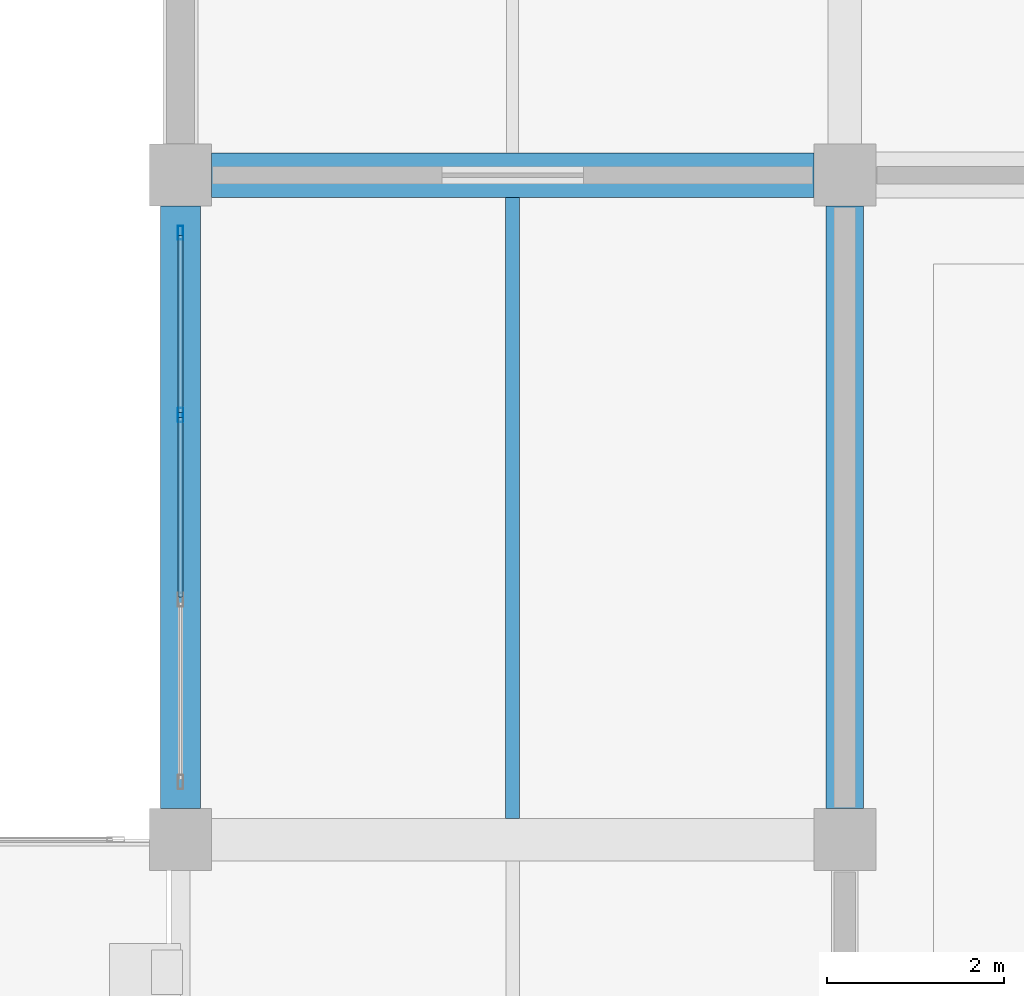
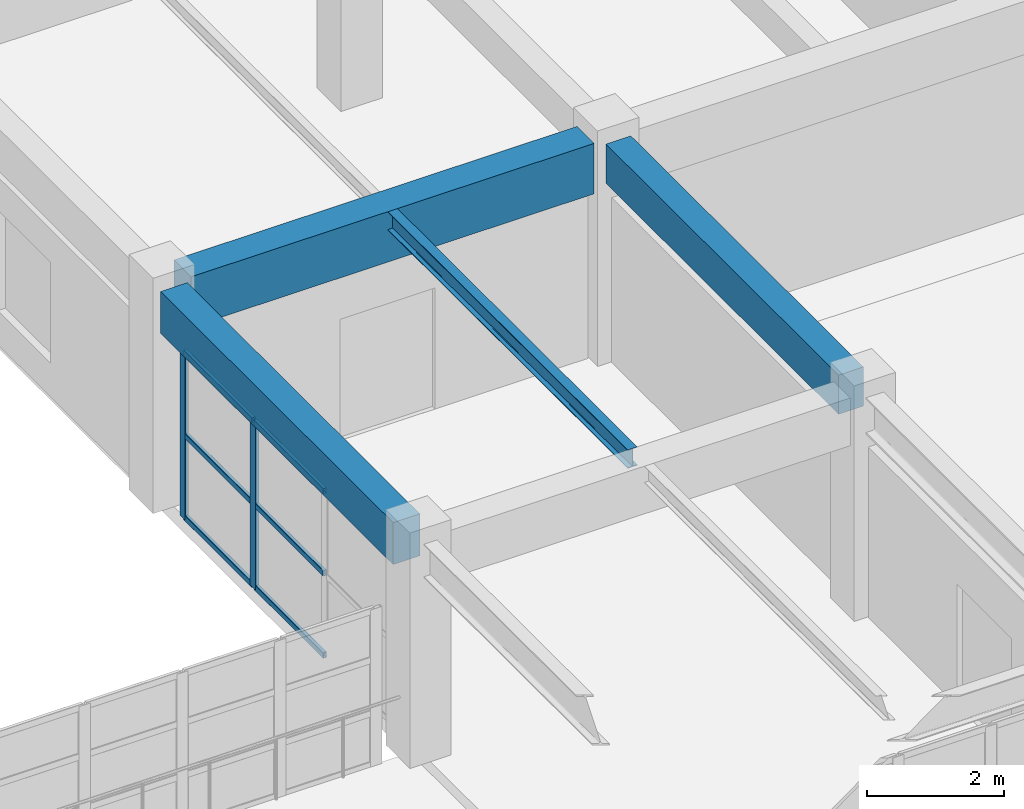
# One storey, part 60 of 132: 8 members, 4 beams, 1 element without a shape of its own.
"""IFC4 building model written with IfcOpenShell, lengths in metres."""

from ifc_helpers import new_model, si_unit, direction, frame, origin, origin_2d, place, context, subcontext, project, spatial, rectangle, hollow_rectangle, i_section, extrude, material, material_profile, profile_set, type_object, element, aggregate, save


model = new_model("IFC4")

# Units and contexts
model_context = context("Model", 3, precision=1e-05, world=origin(), true_north=direction((0.0, 1.0)))
body_context = subcontext(model_context, "Body", "Model", "MODEL_VIEW")
ifc_project = project(units=[si_unit("LENGTHUNIT", "METRE"), si_unit("AREAUNIT", "SQUARE_METRE"), si_unit("VOLUMEUNIT", "CUBIC_METRE"), si_unit("PLANEANGLEUNIT", "RADIAN"), si_unit("MASSUNIT", "GRAM", prefix="KILO")], contexts=[model_context])

# Site, building, storey
site_placement = place(None, origin())
site = spatial("IfcSite", under=ifc_project, at=site_placement, CompositionType="ELEMENT")
building_placement = place(site_placement, origin())
building = spatial("IfcBuilding", under=site, at=building_placement, Name="Qasida Concert Hall", CompositionType="ELEMENT")
storey_placement = place(building_placement, frame((0.0, 0.0, 4.800048828125)))
storey = spatial("IfcBuildingStorey", under=building, at=storey_placement, Name="L01", CompositionType="ELEMENT", Elevation=4.800048828125)

# Beams
ifc_material_1 = material(Name="Concrete C40/50", Category="concrete")
ifc_material_profile_1 = material_profile(ifc_material_1, rectangle(XDim=0.419921875, YDim=0.699951171875, at=origin_2d()), Name="RC 420x700")
ifc_profile_set_1 = profile_set([ifc_material_profile_1], Name="Concrete C40/50")
beam_type_1 = type_object("IfcBeamType", Name="BM-B11", PredefinedType="BEAM", material=ifc_profile_set_1)
beam_1_placement = place(storey_placement, frame((127.5, 82.85009765625, 3.570068359375), z_axis=(0.0, 1.0, 0.0), x_axis=(-1.0, 0.0, 0.0)))
element("IfcBeam", 1, at=beam_1_placement, inside=storey, type_object=beam_type_1, Name="L01 girder 1016", PredefinedType="BEAM", context=body_context, shape_type="SweptSolid", body=[
    extrude(rectangle(XDim=0.419921875, YDim=0.699951171875, at=origin_2d()), origin(), (0.0, 0.0, 1.0), 6.7998046875),
])
ifc_material_profile_2 = material_profile(ifc_material_1, rectangle(XDim=0.5, YDim=0.89990234375, at=origin_2d()), Name="RC 500x900")
ifc_profile_set_2 = profile_set([ifc_material_profile_2], Name="Concrete C40/50")
beam_type_2 = type_object("IfcBeamType", Name="BM-G1", PredefinedType="USERDEFINED", material=ifc_profile_set_2)
beam_2_placement = place(storey_placement, frame((120.35009765625, 90.0, 3.469970703125), z_axis=(1.0, 0.0, 0.0), x_axis=(0.0, 1.0, 0.0)))
element("IfcBeam", 2, at=beam_2_placement, inside=storey, type_object=beam_type_2, Name="Primary girder 0986", ObjectType="GIRDER", PredefinedType="USERDEFINED", context=body_context, shape_type="SweptSolid", body=[
    extrude(rectangle(XDim=0.5, YDim=0.89990234375, at=origin_2d()), origin(), (0.0, 0.0, 1.0), 6.7998046875),
])
ifc_material_2 = material(Name="Steel S355J2", Category="steel")
ifc_material_profile_3 = material_profile(ifc_material_2, i_section(OverallWidth=0.159912109375, OverallDepth=0.330078125, WebThickness=0.007568359375, FlangeThickness=0.011474609375, FilletRadius=0.01806640625, at=origin_2d()), Name="IPE 330")
ifc_profile_set_3 = profile_set([ifc_material_profile_3], Name="Steel S355J2")
beam_type_3 = type_object("IfcBeamType", Name="BM-J5", PredefinedType="JOIST", material=ifc_profile_set_3)
beam_3_placement = place(storey_placement, frame((123.75, 82.739990234375, 3.7548828125), z_axis=(0.0, 1.0, 0.0), x_axis=(-1.0, 0.0, 0.0)))
element("IfcBeam", 3, at=beam_3_placement, inside=storey, type_object=beam_type_3, Name="L01 secondary joist 1044", PredefinedType="JOIST", context=body_context, shape_type="SweptSolid", body=[
    extrude(i_section(OverallWidth=0.159912109375, OverallDepth=0.330078125, WebThickness=0.007568359375, FlangeThickness=0.011474609375, FilletRadius=0.01806640625, at=origin_2d()), origin(), (0.0, 0.0, 1.0), 7.010009765625),
])
ifc_material_profile_4 = material_profile(ifc_material_1, rectangle(XDim=0.449951171875, YDim=0.75, at=origin_2d()), Name="RC 450x750")
ifc_profile_set_4 = profile_set([ifc_material_profile_4], Name="Concrete C40/50")
beam_type_4 = type_object("IfcBeamType", Name="BM-SP4", PredefinedType="SPANDREL", material=ifc_profile_set_4)
beam_4_placement = place(storey_placement, frame((120.0, 82.85009765625, 3.544921875), z_axis=(0.0, 1.0, 0.0), x_axis=(-1.0, 0.0, 0.0)))
element("IfcBeam", 4, at=beam_4_placement, inside=storey, type_object=beam_type_4, Name="L01 girder 1011", PredefinedType="SPANDREL", context=body_context, shape_type="SweptSolid", body=[
    extrude(rectangle(XDim=0.449951171875, YDim=0.75, at=origin_2d()), origin(), (0.0, 0.0, 1.0), 6.7998046875),
])

# Curtain wall, members
ifc_material_3 = material(Name="Architectural bronze-anodized aluminium and low-E glass", Category="aluminium")
curtain_wall_type = type_object("IfcCurtainWallType", Name="CW-09", PredefinedType="NOTDEFINED", material=ifc_material_3)
curtain_wall_placement = place(storey_placement, origin())
curtain_wall = element("IfcCurtainWall", 5, at=curtain_wall_placement, inside=storey, type_object=curtain_wall_type, Name="L01 curtain wall CW-09 0165", PredefinedType="NOTDEFINED")
ifc_material_4 = material(Name="Architectural bronze-anodized aluminium EN AW-6063", Category="aluminium")
ifc_material_profile_5 = material_profile(ifc_material_4, hollow_rectangle(XDim=0.06005859375, YDim=0.159912109375, WallThickness=0.00390625, InnerFilletRadius=0.00390625, OuterFilletRadius=0.008056640625, at=origin_2d()), Name="CWM 160x60x4")
ifc_profile_set_5 = profile_set([ifc_material_profile_5], Name="Architectural bronze-anodized aluminium EN AW-6063")
member_type_1 = type_object("IfcMemberType", Name="MB-CWM-3", PredefinedType="MULLION", material=ifc_profile_set_5)
member_1_placement = place(storey_placement, frame((120.0, 87.293212890625, 0.0), z_axis=(0.0, 0.0, 1.0), x_axis=(-1.0, 0.0, 0.0)))
member_1 = element("IfcMember", 6, at=member_1_placement, type_object=member_type_1, Name="CW-09 mullion 3", PredefinedType="MULLION", context=body_context, shape_type="SweptSolid", body=[
    extrude(hollow_rectangle(XDim=0.06005859375, YDim=0.159912109375, WallThickness=0.00390625, InnerFilletRadius=0.00390625, OuterFilletRadius=0.008056640625, at=origin_2d()), origin(), (0.0, 0.0, 1.0), 2.989990234375),
])
member_2_placement = place(storey_placement, frame((120.0, 89.35009765625, 0.0), z_axis=(0.0, 0.0, 1.0), x_axis=(-1.0, 0.0, 0.0)))
member_2 = element("IfcMember", 7, at=member_2_placement, type_object=member_type_1, Name="CW-09 mullion 4", PredefinedType="MULLION", context=body_context, shape_type="SweptSolid", body=[
    extrude(hollow_rectangle(XDim=0.06005859375, YDim=0.159912109375, WallThickness=0.00390625, InnerFilletRadius=0.00390625, OuterFilletRadius=0.008056640625, at=origin_2d()), origin(), (0.0, 0.0, 1.0), 2.989990234375),
])
ifc_material_profile_6 = material_profile(ifc_material_4, hollow_rectangle(XDim=0.06005859375, YDim=0.10009765625, WallThickness=0.00341796875, InnerFilletRadius=0.00341796875, OuterFilletRadius=0.007080078125, at=origin_2d()), Name="CWT 100x60x3.5")
ifc_profile_set_6 = profile_set([ifc_material_profile_6], Name="Architectural bronze-anodized aluminium EN AW-6063")
member_type_2 = type_object("IfcMemberType", Name="MB-CWT-3", PredefinedType="USERDEFINED", material=ifc_profile_set_6)
member_3_placement = place(storey_placement, frame((120.0, 85.236572265625, 0.030029296875), z_axis=(0.0, 1.0, 0.0), x_axis=(-1.0, 0.0, 0.0)))
member_3 = element("IfcMember", 8, at=member_3_placement, type_object=member_type_2, Name="CW-09 transom 2.1", ObjectType="TRANSOM", PredefinedType="USERDEFINED", context=body_context, shape_type="SweptSolid", body=[
    extrude(hollow_rectangle(XDim=0.06005859375, YDim=0.10009765625, WallThickness=0.00341796875, InnerFilletRadius=0.00341796875, OuterFilletRadius=0.007080078125, at=origin_2d()), origin(), (0.0, 0.0, 1.0), 2.02685546875),
])
member_4_placement = place(storey_placement, frame((120.0, 85.236572265625, 1.494873046875), z_axis=(0.0, 1.0, 0.0), x_axis=(-1.0, 0.0, 0.0)))
member_4 = element("IfcMember", 9, at=member_4_placement, type_object=member_type_2, Name="CW-09 transom 2.2", ObjectType="TRANSOM", PredefinedType="USERDEFINED", context=body_context, shape_type="SweptSolid", body=[
    extrude(hollow_rectangle(XDim=0.06005859375, YDim=0.10009765625, WallThickness=0.00341796875, InnerFilletRadius=0.00341796875, OuterFilletRadius=0.007080078125, at=origin_2d()), origin(), (0.0, 0.0, 1.0), 2.02685546875),
])
member_5_placement = place(storey_placement, frame((120.0, 85.236572265625, 2.9599609375), z_axis=(0.0, 1.0, 0.0), x_axis=(-1.0, 0.0, 0.0)))
member_5 = element("IfcMember", 10, at=member_5_placement, type_object=member_type_2, Name="CW-09 transom 2.3", ObjectType="TRANSOM", PredefinedType="USERDEFINED", context=body_context, shape_type="SweptSolid", body=[
    extrude(hollow_rectangle(XDim=0.06005859375, YDim=0.10009765625, WallThickness=0.00341796875, InnerFilletRadius=0.00341796875, OuterFilletRadius=0.007080078125, at=origin_2d()), origin(), (0.0, 0.0, 1.0), 2.02685546875),
])
member_6_placement = place(storey_placement, frame((120.0, 87.3232421875, 0.030029296875), z_axis=(0.0, 1.0, 0.0), x_axis=(-1.0, 0.0, 0.0)))
member_6 = element("IfcMember", 11, at=member_6_placement, type_object=member_type_2, Name="CW-09 transom 3.1", ObjectType="TRANSOM", PredefinedType="USERDEFINED", context=body_context, shape_type="SweptSolid", body=[
    extrude(hollow_rectangle(XDim=0.06005859375, YDim=0.10009765625, WallThickness=0.00341796875, InnerFilletRadius=0.00341796875, OuterFilletRadius=0.007080078125, at=origin_2d()), origin(), (0.0, 0.0, 1.0), 1.996826171875),
])
member_7_placement = place(storey_placement, frame((120.0, 87.3232421875, 1.494873046875), z_axis=(0.0, 1.0, 0.0), x_axis=(-1.0, 0.0, 0.0)))
member_7 = element("IfcMember", 12, at=member_7_placement, type_object=member_type_2, Name="CW-09 transom 3.2", ObjectType="TRANSOM", PredefinedType="USERDEFINED", context=body_context, shape_type="SweptSolid", body=[
    extrude(hollow_rectangle(XDim=0.06005859375, YDim=0.10009765625, WallThickness=0.00341796875, InnerFilletRadius=0.00341796875, OuterFilletRadius=0.007080078125, at=origin_2d()), origin(), (0.0, 0.0, 1.0), 1.996826171875),
])
member_8_placement = place(storey_placement, frame((120.0, 87.3232421875, 2.9599609375), z_axis=(0.0, 1.0, 0.0), x_axis=(-1.0, 0.0, 0.0)))
member_8 = element("IfcMember", 13, at=member_8_placement, type_object=member_type_2, Name="CW-09 transom 3.3", ObjectType="TRANSOM", PredefinedType="USERDEFINED", context=body_context, shape_type="SweptSolid", body=[
    extrude(hollow_rectangle(XDim=0.06005859375, YDim=0.10009765625, WallThickness=0.00341796875, InnerFilletRadius=0.00341796875, OuterFilletRadius=0.007080078125, at=origin_2d()), origin(), (0.0, 0.0, 1.0), 1.996826171875),
])
aggregate(curtain_wall, [member_1, member_2, member_3, member_4, member_5, member_6, member_7, member_8])

save(model, "model.ifc")
